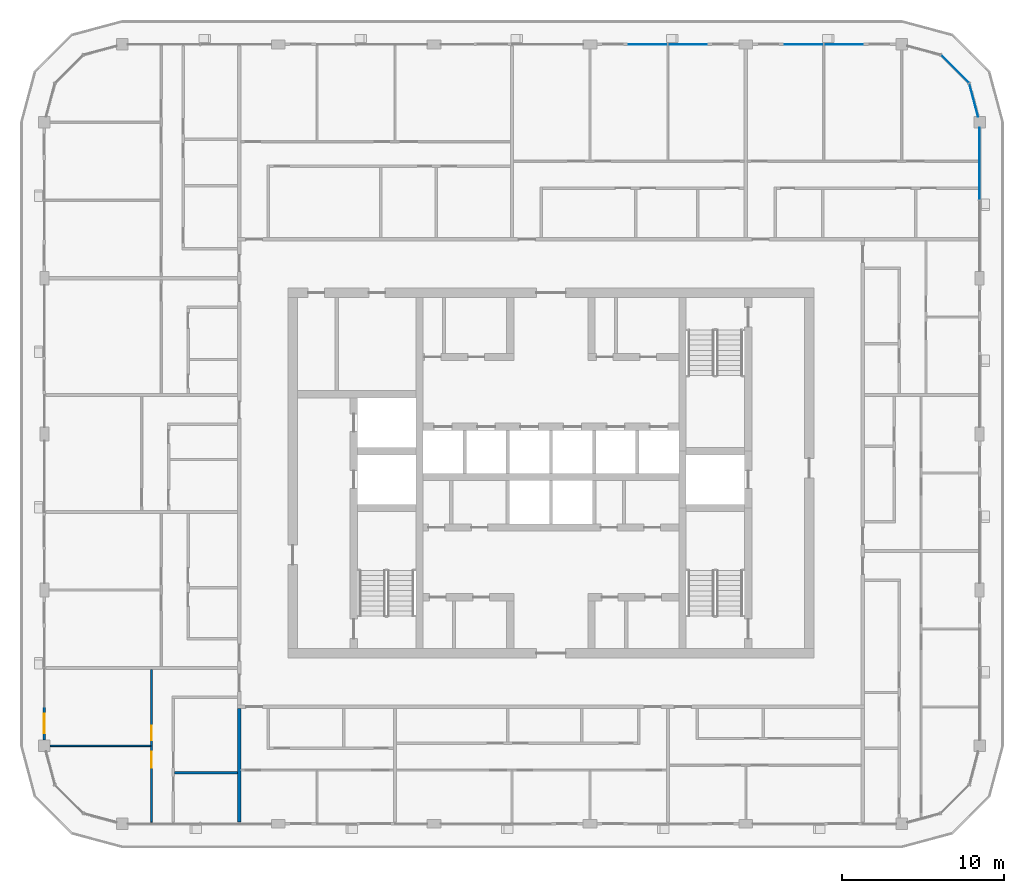
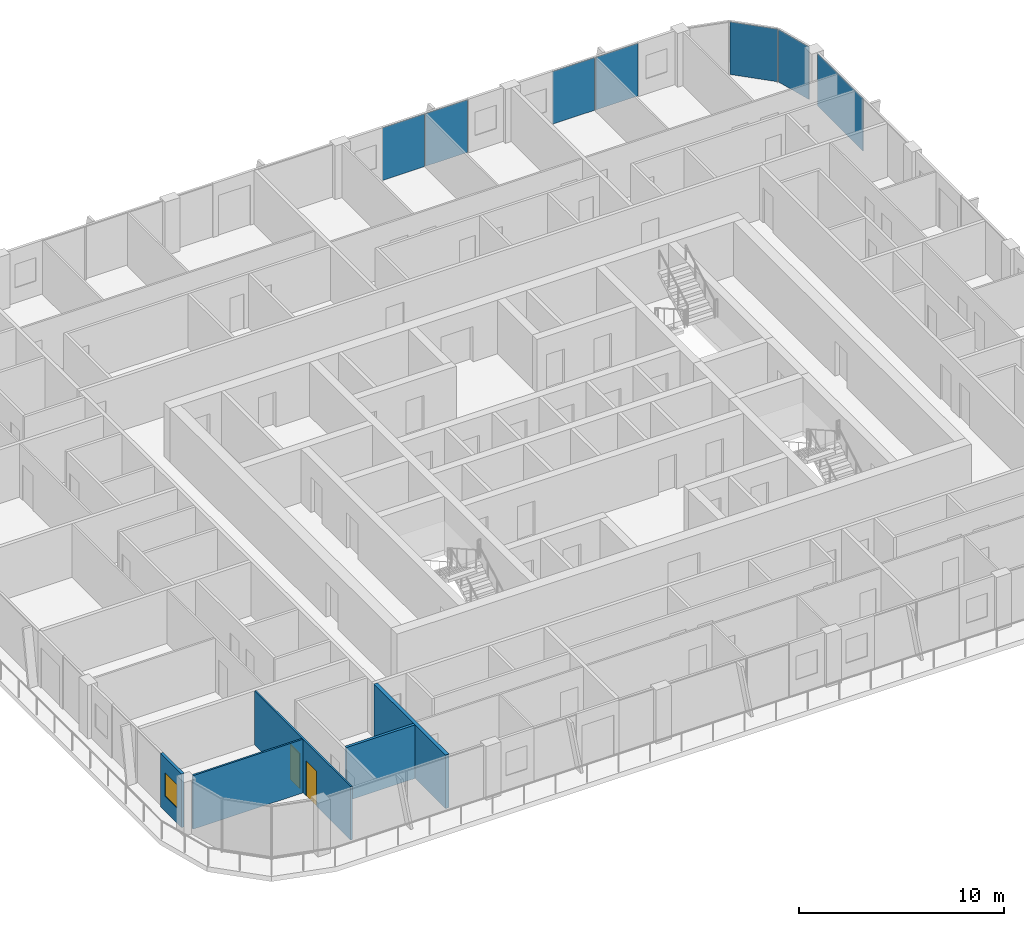
# One storey, part 8 of 22: 7 plates, 5 walls, 2 doors, 1 window, 3 openings, 4 elements without a shape of their own.
"""IFC4 building model written with IfcOpenShell, lengths in metres."""

from ifc_helpers import new_model, si_unit, direction, frame, frame_2d, origin, origin_2d, place, context, subcontext, project, spatial, rectangle, extrude, material, layer, layer_set, type_object, element, fill, aggregate, save


model = new_model("IFC4")

# Units and contexts
model_context = context("Model", 3, precision=1e-05, world=origin(), true_north=direction((0.0, 1.0)))
body_context = subcontext(model_context, "Body", "Model", "MODEL_VIEW")
ifc_project = project(units=[si_unit("LENGTHUNIT", "METRE"), si_unit("AREAUNIT", "SQUARE_METRE"), si_unit("VOLUMEUNIT", "CUBIC_METRE"), si_unit("PLANEANGLEUNIT", "RADIAN"), si_unit("MASSUNIT", "GRAM", prefix="KILO")], contexts=[model_context])

# Site, building, storey
site_placement = place(None, origin())
site = spatial("IfcSite", under=ifc_project, at=site_placement, CompositionType="ELEMENT")
building_placement = place(site_placement, origin())
building = spatial("IfcBuilding", under=site, at=building_placement, Name="Madar Terraces", CompositionType="ELEMENT")
storey_placement = place(building_placement, frame((0.0, 0.0, 256.199951171875)))
storey = spatial("IfcBuildingStorey", under=building, at=storey_placement, Name="L67", CompositionType="ELEMENT", Elevation=256.199951171875)

# Curtain wall, plate
ifc_material_1 = material(Name="Glass, ceramic frit dark grey, with black aluminium frame", Category="aluminium")
ifc_layer_1 = layer(ifc_material_1, 0.199951171875)
ifc_layer_set_1 = layer_set([ifc_layer_1], Name="Facade curtain wall, fritted glass")
curtain_wall_type = type_object("IfcCurtainWallType", Name="Facade curtain wall, fritted glass", PredefinedType="NOTDEFINED", material=ifc_layer_set_1)
curtain_wall_1_placement = place(storey_placement, origin())
curtain_wall_1 = element("IfcCurtainWall", 1, at=curtain_wall_1_placement, inside=storey, type_object=curtain_wall_type, Name="Outer skin curtain wall east bay 4", PredefinedType="NOTDEFINED")
ifc_material_2 = material(Name="Glass, ceramic frit dark grey", Category="glass")
ifc_layer_2 = layer(ifc_material_2, 0.028076171875)
ifc_layer_set_2 = layer_set([ifc_layer_2], Name="Facade glass panel 28")
plate_type = type_object("IfcPlateType", Name="Facade glass panel 28", PredefinedType="CURTAIN_PANEL", material=ifc_layer_set_2)
plate_1_placement = place(storey_placement, frame((57.60009765625, 45.43994140625, 0.0), z_axis=(0.0, 0.0, 1.0), x_axis=(0.0, 1.0, 0.0)))
plate_1 = element("IfcPlate", 2, at=plate_1_placement, type_object=plate_type, Name="Panel 2", PredefinedType="CURTAIN_PANEL", context=body_context, shape_type="SweptSolid", body=[
    extrude(rectangle(XDim=4.419921875, YDim=0.028076171875, at=origin_2d()), origin(), (0.0, 0.0, 1.0), 3.139892578125),
])
aggregate(curtain_wall_1, [plate_1])

# Curtain wall, plates
curtain_wall_2_placement = place(storey_placement, origin())
curtain_wall_2 = element("IfcCurtainWall", 3, at=curtain_wall_2_placement, inside=storey, type_object=curtain_wall_type, Name="Outer skin curtain wall north bay 1", PredefinedType="NOTDEFINED")
plate_2_placement = place(storey_placement, frame((49.215087890625, 52.800048828125, 0.0), z_axis=(0.0, 0.0, 1.0), x_axis=(-1.0, 0.0, 0.0)))
plate_2 = element("IfcPlate", 4, at=plate_2_placement, type_object=plate_type, Name="Panel 1", PredefinedType="CURTAIN_PANEL", context=body_context, shape_type="SweptSolid", body=[
    extrude(rectangle(XDim=2.3701171875, YDim=0.028076171875, at=origin_2d()), origin(), (0.0, 0.0, 1.0), 3.139892578125),
])
plate_3_placement = place(storey_placement, frame((46.784912109375, 52.800048828125, 0.0), z_axis=(0.0, 0.0, 1.0), x_axis=(-1.0, 0.0, 0.0)))
plate_3 = element("IfcPlate", 5, at=plate_3_placement, type_object=plate_type, Name="Panel 2", PredefinedType="CURTAIN_PANEL", context=body_context, shape_type="SweptSolid", body=[
    extrude(rectangle(XDim=2.3701171875, YDim=0.028076171875, at=origin_2d()), origin(), (0.0, 0.0, 1.0), 3.139892578125),
])
aggregate(curtain_wall_2, [plate_2, plate_3])

curtain_wall_3_placement = place(storey_placement, origin())
curtain_wall_3 = element("IfcCurtainWall", 6, at=curtain_wall_3_placement, inside=storey, type_object=curtain_wall_type, Name="Outer skin curtain wall north bay 2", PredefinedType="NOTDEFINED")
plate_4_placement = place(storey_placement, frame((39.614990234375, 52.800048828125, 0.0), z_axis=(0.0, 0.0, 1.0), x_axis=(-1.0, 0.0, 0.0)))
plate_4 = element("IfcPlate", 7, at=plate_4_placement, type_object=plate_type, Name="Panel 1", PredefinedType="CURTAIN_PANEL", context=body_context, shape_type="SweptSolid", body=[
    extrude(rectangle(XDim=2.3701171875, YDim=0.028076171875, at=origin_2d()), origin(), (0.0, 0.0, 1.0), 3.139892578125),
])
plate_5_placement = place(storey_placement, frame((37.18505859375, 52.800048828125, 0.0), z_axis=(0.0, 0.0, 1.0), x_axis=(-1.0, 0.0, 0.0)))
plate_5 = element("IfcPlate", 8, at=plate_5_placement, type_object=plate_type, Name="Panel 2", PredefinedType="CURTAIN_PANEL", context=body_context, shape_type="SweptSolid", body=[
    extrude(rectangle(XDim=2.3701171875, YDim=0.028076171875, at=origin_2d()), origin(), (0.0, 0.0, 1.0), 3.139892578125),
])
aggregate(curtain_wall_3, [plate_4, plate_5])

curtain_wall_4_placement = place(storey_placement, origin())
curtain_wall_4 = element("IfcCurtainWall", 9, at=curtain_wall_4_placement, inside=storey, type_object=curtain_wall_type, Name="Outer skin curtain wall north-east corner", PredefinedType="NOTDEFINED")
plate_6_placement = place(storey_placement, frame((57.2353515625, 49.360595703125, 0.0), z_axis=(0.0, 0.0, 1.0), x_axis=(-0.258819021888, 0.965925832509, 0.0)))
plate_6 = element("IfcPlate", 10, at=plate_6_placement, type_object=plate_type, Name="Panel 1", PredefinedType="CURTAIN_PANEL", context=body_context, shape_type="SweptSolid", body=[
    extrude(rectangle(XDim=2.09228515625, YDim=0.028076171875, at=origin_2d()), origin(), (0.0, 0.0, 1.0), 3.139892578125),
])
plate_7_placement = place(storey_placement, frame((56.078369140625, 51.278564453125, 0.0), z_axis=(0.0, 0.0, 1.0), x_axis=(-0.707106781187, 0.707106781187, 0.0)))
plate_7 = element("IfcPlate", 11, at=plate_7_placement, type_object=plate_type, Name="Panel 2", PredefinedType="CURTAIN_PANEL", context=body_context, shape_type="SweptSolid", body=[
    extrude(rectangle(XDim=2.424560546875, YDim=0.028076171875, at=origin_2d()), origin(), (0.0, 0.0, 1.0), 3.139892578125),
])
aggregate(curtain_wall_4, [plate_6, plate_7])

# Wall, opening, window
ifc_material_3 = material(Name="Aluminium composite panel, black, over insulated backing", Category="aluminium")
ifc_layer_3 = layer(ifc_material_3, 0.14990234375)
ifc_layer_set_3 = layer_set([ifc_layer_3], Name="Facade bay panel 150")
wall_type_1 = type_object("IfcWallType", Name="Facade bay panel 150", PredefinedType="SOLIDWALL", material=ifc_layer_set_3)
wall_1_placement = place(storey_placement, frame((0.0, 12.0, 0.0), z_axis=(0.0, 0.0, 1.0), x_axis=(0.0, -1.0, 0.0)))
wall_1 = element("IfcWall", 12, at=wall_1_placement, inside=storey, type_object=wall_type_1, Name="Facade bay panel", PredefinedType="SOLIDWALL", context=body_context, shape_type="SweptSolid", body=[
    extrude(rectangle(XDim=2.050048828125, YDim=0.14990234375, at=frame_2d((1.02490234375, 0.0))), origin(), (0.0, 0.0, 1.0), 3.199951171875),
])
opening_1_placement = place(wall_1_placement, frame((0.425048828125, 0.0, 0.89990234375)))
opening_1 = element("IfcOpeningElement", 13, at=opening_1_placement, cuts=wall_1, Name="Opening W1", PredefinedType="OPENING", context=body_context, shape_type="SweptSolid", body=[
    extrude(rectangle(XDim=1.199951171875, YDim=1.39990234375, at=frame_2d((0.60009765625, 0.699951171875))), frame((0.0, 0.0849609375, 0.0), z_axis=(0.0, -1.0, 0.0), x_axis=(1.0, 0.0, 0.0)), (0.0, 0.0, 1.0), 0.169921875),
])
ifc_material_4 = material(Name="Glass, clear, with black aluminium frame", Category="aluminium")
window_type = type_object("IfcWindowType", Name="Vent window 1200 x 1400", PartitioningType="SINGLE_PANEL", PredefinedType="WINDOW", material=ifc_material_4)
window_placement = place(opening_1_placement, origin())
window = element("IfcWindow", 14, at=window_placement, inside=storey, type_object=window_type, Name="Operable vent window", OverallHeight=1.39990234375, OverallWidth=1.199951171875, PartitioningType="SINGLE_PANEL", PredefinedType="WINDOW", context=body_context, shape_type="SweptSolid", body=[
    extrude(rectangle(XDim=1.199951171875, YDim=1.39990234375, at=frame_2d((0.60009765625, 0.699951171875))), frame((0.0, 0.030029296875, 0.0), z_axis=(0.0, -1.0, 0.0), x_axis=(1.0, 0.0, 0.0)), (0.0, 0.0, 1.0), 0.06005859375),
])
fill(opening_1, window)

# Wall
ifc_material_5 = material(Name="Gypsum board on steel studs", Category="steel")
ifc_layer_4 = layer(ifc_material_5, 0.10009765625)
ifc_layer_set_4 = layer_set([ifc_layer_4], Name="Flat partition 100")
wall_type_2 = type_object("IfcWallType", Name="Flat partition 100", PredefinedType="PARTITIONING", material=ifc_layer_set_4)
wall_2_placement = place(storey_placement, frame((6.550048828125, 9.60009765625, 0.0), z_axis=(0.0, 0.0, 1.0), x_axis=(-1.0, 0.0, 0.0)))
element("IfcWall", 15, at=wall_2_placement, inside=storey, type_object=wall_type_2, Name="Flat partition 100", PredefinedType="PARTITIONING", context=body_context, shape_type="SweptSolid", body=[
    extrude(rectangle(XDim=6.199951171875, YDim=0.10009765625, at=frame_2d((3.10009765625, 0.0))), origin(), (0.0, 0.0, 1.0), 3.199951171875),
])

# Wall, openings, doors
wall_3_placement = place(storey_placement, frame((6.60009765625, 4.89990234375, 0.0), z_axis=(0.0, 0.0, 1.0), x_axis=(0.0, 1.0, 0.0)))
wall_3 = element("IfcWall", 16, at=wall_3_placement, inside=storey, type_object=wall_type_2, Name="Flat partition 100", PredefinedType="PARTITIONING", context=body_context, shape_type="SweptSolid", body=[
    extrude(rectangle(XDim=9.400146484375, YDim=0.10009765625, at=frame_2d((4.7001953125, 0.0))), origin(), (0.0, 0.0, 1.0), 3.199951171875),
])
opening_2_placement = place(wall_3_placement, frame((5.050048828125, 0.0, 0.0)))
opening_2 = element("IfcOpeningElement", 17, at=opening_2_placement, cuts=wall_3, Name="Opening D2", PredefinedType="OPENING", context=body_context, shape_type="SweptSolid", body=[
    extrude(rectangle(XDim=0.89990234375, YDim=2.10009765625, at=frame_2d((0.449951171875, 1.050048828125))), frame((0.0, 0.06005859375, 0.0), z_axis=(0.0, -1.0, 0.0), x_axis=(1.0, 0.0, 0.0)), (0.0, 0.0, 1.0), 0.1201171875),
])
opening_3_placement = place(wall_3_placement, frame((3.35009765625, 0.0, 0.0)))
opening_3 = element("IfcOpeningElement", 18, at=opening_3_placement, cuts=wall_3, Name="Opening D3", PredefinedType="OPENING", context=body_context, shape_type="SweptSolid", body=[
    extrude(rectangle(XDim=1.0, YDim=2.10009765625, at=frame_2d((0.5, 1.050048828125))), frame((0.0, 0.06005859375, 0.0), z_axis=(0.0, -1.0, 0.0), x_axis=(1.0, 0.0, 0.0)), (0.0, 0.0, 1.0), 0.1201171875),
])
ifc_material_6 = material(Name="Timber door leaf", Category="wood")
door_type_1 = type_object("IfcDoorType", Name="Flat living room door 1000", OperationType="NOTDEFINED", PredefinedType="DOOR", material=ifc_material_6)
door_1_placement = place(opening_3_placement, origin())
door_1 = element("IfcDoor", 19, at=door_1_placement, inside=storey, type_object=door_type_1, Name="Flat living room door 1000", OperationType="SINGLE_SWING_RIGHT", OverallHeight=2.10009765625, OverallWidth=1.0, PredefinedType="DOOR", context=body_context, shape_type="SweptSolid", body=[
    extrude(rectangle(XDim=1.0, YDim=2.10009765625, at=frame_2d((0.5, 1.050048828125))), frame((0.0, 0.02490234375, 0.0), z_axis=(0.0, -1.0, 0.0), x_axis=(1.0, 0.0, 0.0)), (0.0, 0.0, 1.0), 0.050048828125),
])
fill(opening_3, door_1)
ifc_material_7 = material(Name="Timber door leaf", Category="wood")
door_type_2 = type_object("IfcDoorType", Name="Flat room door 900", OperationType="NOTDEFINED", PredefinedType="DOOR", material=ifc_material_7)
door_2_placement = place(opening_2_placement, origin())
door_2 = element("IfcDoor", 20, at=door_2_placement, inside=storey, type_object=door_type_2, Name="Flat room door 900", OperationType="SINGLE_SWING_LEFT", OverallHeight=2.10009765625, OverallWidth=0.89990234375, PredefinedType="DOOR", context=body_context, shape_type="SweptSolid", body=[
    extrude(rectangle(XDim=0.89990234375, YDim=2.10009765625, at=frame_2d((0.449951171875, 1.050048828125))), frame((0.0, 0.02490234375, 0.0), z_axis=(0.0, -1.0, 0.0), x_axis=(1.0, 0.0, 0.0)), (0.0, 0.0, 1.0), 0.050048828125),
])
fill(opening_2, door_2)

# Walls
ifc_material_8 = material(Name="Lightweight blockwork", Category="masonry")
ifc_layer_5 = layer(ifc_material_8, 0.199951171875)
ifc_layer_set_5 = layer_set([ifc_layer_5], Name="Flat party and entrance wall 200")
wall_type_3 = type_object("IfcWallType", Name="Flat party and entrance wall 200", PredefinedType="PARTITIONING", material=ifc_layer_set_5)
wall_4_placement = place(storey_placement, frame((12.0, 4.89990234375, 0.0), z_axis=(0.0, 0.0, 1.0), x_axis=(0.0, 1.0, 0.0)))
element("IfcWall", 21, at=wall_4_placement, inside=storey, type_object=wall_type_3, Name="Flat party and entrance wall 200", PredefinedType="PARTITIONING", context=body_context, shape_type="SweptSolid", body=[
    extrude(rectangle(XDim=7.0, YDim=0.199951171875, at=frame_2d((3.5, 0.0))), origin(), (0.0, 0.0, 1.0), 3.199951171875),
])
ifc_material_9 = material(Name="Lightweight blockwork", Category="masonry")
ifc_layer_6 = layer(ifc_material_9, 0.14990234375)
ifc_layer_set_6 = layer_set([ifc_layer_6], Name="Flat wet-room partition 150")
wall_type_4 = type_object("IfcWallType", Name="Flat wet-room partition 150", PredefinedType="PARTITIONING", material=ifc_layer_set_6)
wall_5_placement = place(storey_placement, frame((11.89990234375, 7.949951171875, 0.0), z_axis=(0.0, 0.0, 1.0), x_axis=(-1.0, 0.0, 0.0)))
element("IfcWall", 22, at=wall_5_placement, inside=storey, type_object=wall_type_4, Name="Flat wet-room partition 150", PredefinedType="PARTITIONING", context=body_context, shape_type="SweptSolid", body=[
    extrude(rectangle(XDim=3.875, YDim=0.14990234375, at=frame_2d((1.9375, 0.0))), origin(), (0.0, 0.0, 1.0), 3.199951171875),
])

save(model, "model.ifc")
